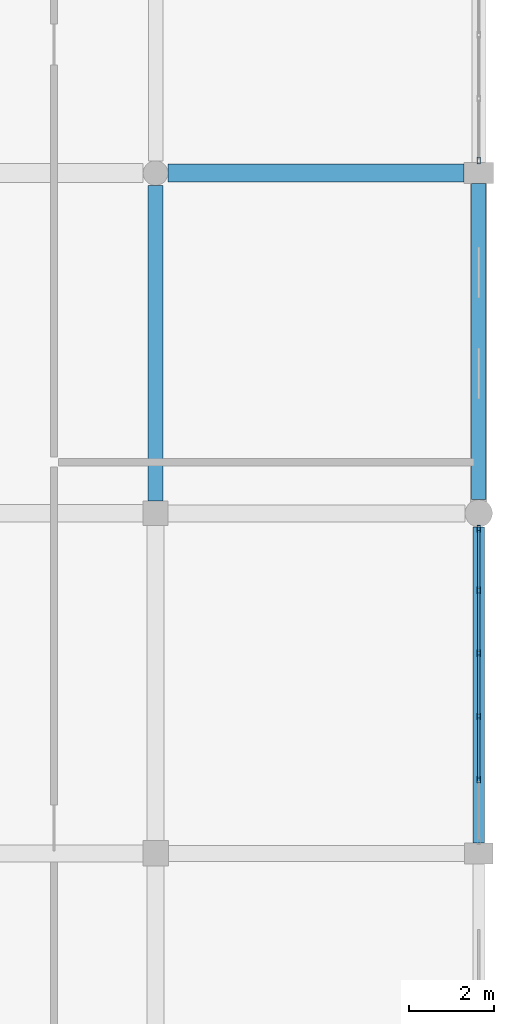
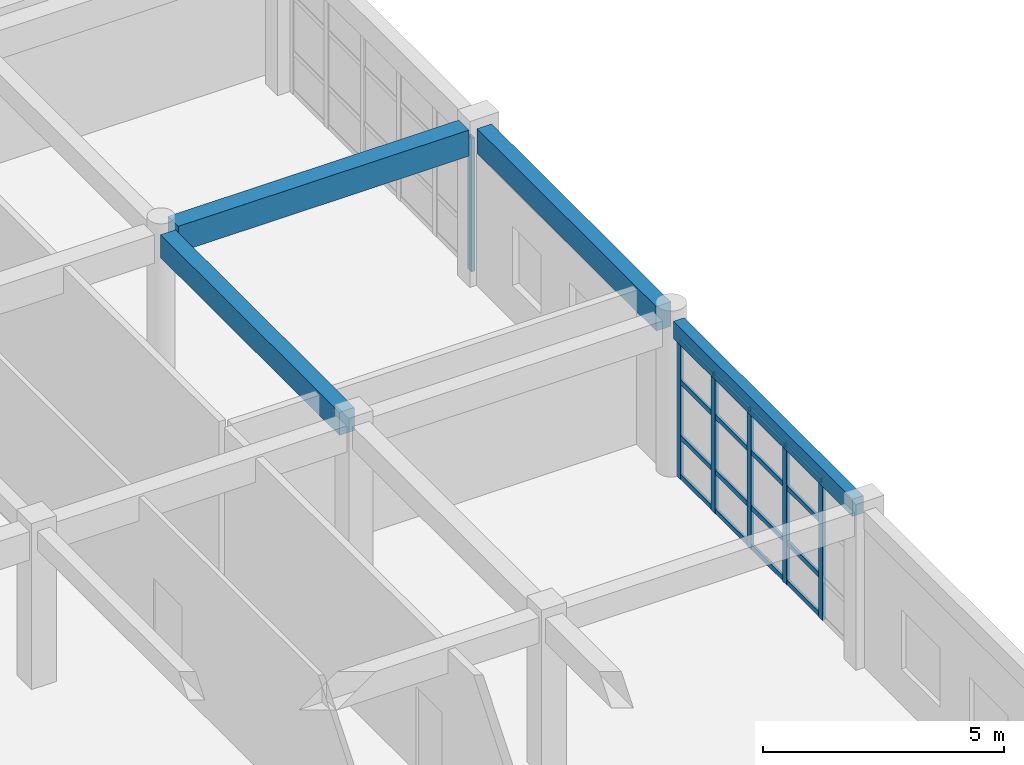
# One storey, part 74 of 121: 22 members, 4 beams, 2 elements without a shape of their own.
"""IFC4 building model written with IfcOpenShell, lengths in metres."""

from ifc_helpers import new_model, si_unit, direction, frame, origin, origin_2d, place, context, subcontext, project, spatial, rectangle, hollow_rectangle, extrude, material, material_profile, profile_set, type_object, element, aggregate, save


model = new_model("IFC4")

# Units and contexts
model_context = context("Model", 3, precision=1e-05, world=origin(), true_north=direction((0.0, 1.0)))
body_context = subcontext(model_context, "Body", "Model", "MODEL_VIEW")
ifc_project = project(units=[si_unit("LENGTHUNIT", "METRE"), si_unit("AREAUNIT", "SQUARE_METRE"), si_unit("VOLUMEUNIT", "CUBIC_METRE"), si_unit("PLANEANGLEUNIT", "RADIAN"), si_unit("MASSUNIT", "GRAM", prefix="KILO")], contexts=[model_context])

# Site, building, storey
site_placement = place(None, origin())
site = spatial("IfcSite", under=ifc_project, at=site_placement, CompositionType="ELEMENT")
building_placement = place(site_placement, origin())
building = spatial("IfcBuilding", under=site, at=building_placement, Name="Kharva Crest Polytechnic", CompositionType="ELEMENT")
storey_placement = place(building_placement, frame((0.0, 0.0, 13.199951171875)))
storey = spatial("IfcBuildingStorey", under=building, at=storey_placement, Name="L03", CompositionType="ELEMENT", Elevation=13.199951171875)

# Beams
ifc_material_1 = material(Name="Concrete C35/45", Category="concrete")
ifc_material_profile_1 = material_profile(ifc_material_1, rectangle(XDim=0.360107421875, YDim=0.580078125, at=origin_2d()), Name="RECT 360 X 580")
ifc_profile_set_1 = profile_set([ifc_material_profile_1], Name="Concrete C35/45")
beam_type_1 = type_object("IfcBeamType", Name="BM-RC-360X580", PredefinedType="BEAM", material=ifc_profile_set_1)
beam_1_placement = place(storey_placement, frame((176.39990234375, 55.090087890625, 3.670166015625), z_axis=(0.0, 1.0, 0.0), x_axis=(-1.0, 0.0, 0.0)))
element("IfcBeam", 1, at=beam_1_placement, inside=storey, type_object=beam_type_1, Name="L03 Girder 23/H-J", PredefinedType="BEAM", context=body_context, shape_type="SweptSolid", body=[
    extrude(rectangle(XDim=0.360107421875, YDim=0.580078125, at=origin_2d()), origin(), (0.0, 0.0, 1.0), 7.419921875),
])
ifc_material_profile_2 = material_profile(ifc_material_1, rectangle(XDim=0.419921875, YDim=0.659912109375, at=origin_2d()), Name="RECT 420 X 660")
ifc_profile_set_2 = profile_set([ifc_material_profile_2], Name="Concrete C35/45")
beam_type_2 = type_object("IfcBeamType", Name="BM-RC-420X660", PredefinedType="BEAM", material=ifc_profile_set_2)
beam_2_placement = place(storey_placement, frame((176.68994140625, 62.800048828125, 3.630126953125), z_axis=(1.0, 0.0, 0.0), x_axis=(0.0, 1.0, 0.0)))
element("IfcBeam", 2, at=beam_2_placement, inside=storey, type_object=beam_type_2, Name="L03 Beam J/23-24", PredefinedType="BEAM", context=body_context, shape_type="SweptSolid", body=[
    extrude(rectangle(XDim=0.419921875, YDim=0.659912109375, at=origin_2d()), origin(), (0.0, 0.0, 1.0), 6.9599609375),
])

# Curtain wall, members
ifc_material_2 = material(Name="Tempered insulated glass", Category="glass")
curtain_wall_type = type_object("IfcCurtainWallType", Name="CW-SYS-COURT", PredefinedType="USERDEFINED", material=ifc_material_2)
curtain_wall_1_placement = place(storey_placement, origin())
curtain_wall_1 = element("IfcCurtainWall", 3, at=curtain_wall_1_placement, inside=storey, type_object=curtain_wall_type, Name="L03 Glazed Curtain Wall CW-149", ObjectType="CURTAIN WALL", PredefinedType="USERDEFINED")
ifc_material_3 = material(Name="Steel S355", Category="steel")
ifc_material_profile_3 = material_profile(ifc_material_3, hollow_rectangle(XDim=0.080078125, YDim=0.159912109375, WallThickness=0.0048828125, at=origin_2d()), Name="RHS 160X80X5.0")
ifc_profile_set_3 = profile_set([ifc_material_profile_3], Name="Steel S355")
member_type_1 = type_object("IfcMemberType", Name="CWM-RHS160X80", PredefinedType="MULLION", material=ifc_profile_set_3)
member_1_placement = place(storey_placement, frame((184.0, 48.5390625, 0.0), z_axis=(0.0, 0.0, 1.0), x_axis=(-1.0, 0.0, 0.0)))
member_1 = element("IfcMember", 4, at=member_1_placement, type_object=member_type_1, Name="CW-149 mullion 2", PredefinedType="MULLION", context=body_context, shape_type="SweptSolid", body=[
    extrude(hollow_rectangle(XDim=0.080078125, YDim=0.159912109375, WallThickness=0.0048828125, at=origin_2d()), origin(), (0.0, 0.0, 1.0), 3.52001953125),
])
member_2_placement = place(storey_placement, frame((184.0, 50.02294921875, 0.0), z_axis=(0.0, 0.0, 1.0), x_axis=(-1.0, 0.0, 0.0)))
member_2 = element("IfcMember", 5, at=member_2_placement, type_object=member_type_1, Name="CW-149 mullion 3", PredefinedType="MULLION", context=body_context, shape_type="SweptSolid", body=[
    extrude(hollow_rectangle(XDim=0.080078125, YDim=0.159912109375, WallThickness=0.0048828125, at=origin_2d()), origin(), (0.0, 0.0, 1.0), 3.52001953125),
])
member_3_placement = place(storey_placement, frame((184.0, 51.507080078125, 0.0), z_axis=(0.0, 0.0, 1.0), x_axis=(-1.0, 0.0, 0.0)))
member_3 = element("IfcMember", 6, at=member_3_placement, type_object=member_type_1, Name="CW-149 mullion 4", PredefinedType="MULLION", context=body_context, shape_type="SweptSolid", body=[
    extrude(hollow_rectangle(XDim=0.080078125, YDim=0.159912109375, WallThickness=0.0048828125, at=origin_2d()), origin(), (0.0, 0.0, 1.0), 3.52001953125),
])
member_4_placement = place(storey_placement, frame((184.0, 52.990966796875, 0.0), z_axis=(0.0, 0.0, 1.0), x_axis=(-1.0, 0.0, 0.0)))
member_4 = element("IfcMember", 7, at=member_4_placement, type_object=member_type_1, Name="CW-149 mullion 5", PredefinedType="MULLION", context=body_context, shape_type="SweptSolid", body=[
    extrude(hollow_rectangle(XDim=0.080078125, YDim=0.159912109375, WallThickness=0.0048828125, at=origin_2d()), origin(), (0.0, 0.0, 1.0), 3.52001953125),
])
member_5_placement = place(storey_placement, frame((184.0, 54.43505859375, 0.0), z_axis=(0.0, 0.0, 1.0), x_axis=(-1.0, 0.0, 0.0)))
member_5 = element("IfcMember", 8, at=member_5_placement, type_object=member_type_1, Name="CW-149 mullion 6", PredefinedType="MULLION", context=body_context, shape_type="SweptSolid", body=[
    extrude(hollow_rectangle(XDim=0.080078125, YDim=0.159912109375, WallThickness=0.0048828125, at=origin_2d()), origin(), (0.0, 0.0, 1.0), 3.52001953125),
])

# Curtain wall, member
curtain_wall_2_placement = place(storey_placement, origin())
curtain_wall_2 = element("IfcCurtainWall", 9, at=curtain_wall_2_placement, inside=storey, type_object=curtain_wall_type, Name="L03 Glazed Curtain Wall CW-150", ObjectType="CURTAIN WALL", PredefinedType="USERDEFINED")
member_6_placement = place(storey_placement, frame((184.0, 63.094970703125, 0.0), z_axis=(0.0, 0.0, 1.0), x_axis=(-1.0, 0.0, 0.0)))
member_6 = element("IfcMember", 10, at=member_6_placement, type_object=member_type_1, Name="CW-150 mullion 1", PredefinedType="MULLION", context=body_context, shape_type="SweptSolid", body=[
    extrude(hollow_rectangle(XDim=0.080078125, YDim=0.159912109375, WallThickness=0.0048828125, at=origin_2d()), origin(), (0.0, 0.0, 1.0), 3.380126953125),
])
aggregate(curtain_wall_2, [member_6])

# Member
ifc_material_profile_4 = material_profile(ifc_material_3, hollow_rectangle(XDim=0.06005859375, YDim=0.1201171875, WallThickness=0.00390625, at=origin_2d()), Name="RHS 120X60X4.0")
ifc_profile_set_4 = profile_set([ifc_material_profile_4], Name="Steel S355")
member_type_2 = type_object("IfcMemberType", Name="CWT-RHS120X60", PredefinedType="USERDEFINED", material=ifc_profile_set_4)
member_7_placement = place(storey_placement, frame((184.0, 48.5791015625, 0.06005859375), z_axis=(0.0, 1.0, 0.0), x_axis=(-1.0, 0.0, 0.0)))
member_7 = element("IfcMember", 11, at=member_7_placement, type_object=member_type_2, Name="CW-149 transom 2.1", ObjectType="TRANSOM", PredefinedType="USERDEFINED", context=body_context, shape_type="SweptSolid", body=[
    extrude(hollow_rectangle(XDim=0.06005859375, YDim=0.1201171875, WallThickness=0.00390625, at=origin_2d()), origin(), (0.0, 0.0, 1.0), 1.40380859375),
])

member_8_placement = place(storey_placement, frame((184.0, 48.5791015625, 1.050048828125), z_axis=(0.0, 1.0, 0.0), x_axis=(-1.0, 0.0, 0.0)))
member_8 = element("IfcMember", 12, at=member_8_placement, type_object=member_type_2, Name="CW-149 transom 2.2", ObjectType="TRANSOM", PredefinedType="USERDEFINED", context=body_context, shape_type="SweptSolid", body=[
    extrude(hollow_rectangle(XDim=0.06005859375, YDim=0.1201171875, WallThickness=0.00390625, at=origin_2d()), origin(), (0.0, 0.0, 1.0), 1.40380859375),
])

member_9_placement = place(storey_placement, frame((184.0, 48.5791015625, 2.449951171875), z_axis=(0.0, 1.0, 0.0), x_axis=(-1.0, 0.0, 0.0)))
member_9 = element("IfcMember", 13, at=member_9_placement, type_object=member_type_2, Name="CW-149 transom 2.3", ObjectType="TRANSOM", PredefinedType="USERDEFINED", context=body_context, shape_type="SweptSolid", body=[
    extrude(hollow_rectangle(XDim=0.06005859375, YDim=0.1201171875, WallThickness=0.00390625, at=origin_2d()), origin(), (0.0, 0.0, 1.0), 1.40380859375),
])

member_10_placement = place(storey_placement, frame((184.0, 48.5791015625, 3.4599609375), z_axis=(0.0, 1.0, 0.0), x_axis=(-1.0, 0.0, 0.0)))
member_10 = element("IfcMember", 14, at=member_10_placement, type_object=member_type_2, Name="CW-149 transom 2.4", ObjectType="TRANSOM", PredefinedType="USERDEFINED", context=body_context, shape_type="SweptSolid", body=[
    extrude(hollow_rectangle(XDim=0.06005859375, YDim=0.1201171875, WallThickness=0.00390625, at=origin_2d()), origin(), (0.0, 0.0, 1.0), 1.40380859375),
])

member_11_placement = place(storey_placement, frame((184.0, 50.06298828125, 0.06005859375), z_axis=(0.0, 1.0, 0.0), x_axis=(-1.0, 0.0, 0.0)))
member_11 = element("IfcMember", 15, at=member_11_placement, type_object=member_type_2, Name="CW-149 transom 3.1", ObjectType="TRANSOM", PredefinedType="USERDEFINED", context=body_context, shape_type="SweptSolid", body=[
    extrude(hollow_rectangle(XDim=0.06005859375, YDim=0.1201171875, WallThickness=0.00390625, at=origin_2d()), origin(), (0.0, 0.0, 1.0), 1.404052734375),
])

member_12_placement = place(storey_placement, frame((184.0, 50.06298828125, 1.050048828125), z_axis=(0.0, 1.0, 0.0), x_axis=(-1.0, 0.0, 0.0)))
member_12 = element("IfcMember", 16, at=member_12_placement, type_object=member_type_2, Name="CW-149 transom 3.2", ObjectType="TRANSOM", PredefinedType="USERDEFINED", context=body_context, shape_type="SweptSolid", body=[
    extrude(hollow_rectangle(XDim=0.06005859375, YDim=0.1201171875, WallThickness=0.00390625, at=origin_2d()), origin(), (0.0, 0.0, 1.0), 1.404052734375),
])

member_13_placement = place(storey_placement, frame((184.0, 50.06298828125, 2.449951171875), z_axis=(0.0, 1.0, 0.0), x_axis=(-1.0, 0.0, 0.0)))
member_13 = element("IfcMember", 17, at=member_13_placement, type_object=member_type_2, Name="CW-149 transom 3.3", ObjectType="TRANSOM", PredefinedType="USERDEFINED", context=body_context, shape_type="SweptSolid", body=[
    extrude(hollow_rectangle(XDim=0.06005859375, YDim=0.1201171875, WallThickness=0.00390625, at=origin_2d()), origin(), (0.0, 0.0, 1.0), 1.404052734375),
])

member_14_placement = place(storey_placement, frame((184.0, 50.06298828125, 3.4599609375), z_axis=(0.0, 1.0, 0.0), x_axis=(-1.0, 0.0, 0.0)))
member_14 = element("IfcMember", 18, at=member_14_placement, type_object=member_type_2, Name="CW-149 transom 3.4", ObjectType="TRANSOM", PredefinedType="USERDEFINED", context=body_context, shape_type="SweptSolid", body=[
    extrude(hollow_rectangle(XDim=0.06005859375, YDim=0.1201171875, WallThickness=0.00390625, at=origin_2d()), origin(), (0.0, 0.0, 1.0), 1.404052734375),
])

member_15_placement = place(storey_placement, frame((184.0, 51.547119140625, 0.06005859375), z_axis=(0.0, 1.0, 0.0), x_axis=(-1.0, 0.0, 0.0)))
member_15 = element("IfcMember", 19, at=member_15_placement, type_object=member_type_2, Name="CW-149 transom 4.1", ObjectType="TRANSOM", PredefinedType="USERDEFINED", context=body_context, shape_type="SweptSolid", body=[
    extrude(hollow_rectangle(XDim=0.06005859375, YDim=0.1201171875, WallThickness=0.00390625, at=origin_2d()), origin(), (0.0, 0.0, 1.0), 1.40380859375),
])

member_16_placement = place(storey_placement, frame((184.0, 51.547119140625, 1.050048828125), z_axis=(0.0, 1.0, 0.0), x_axis=(-1.0, 0.0, 0.0)))
member_16 = element("IfcMember", 20, at=member_16_placement, type_object=member_type_2, Name="CW-149 transom 4.2", ObjectType="TRANSOM", PredefinedType="USERDEFINED", context=body_context, shape_type="SweptSolid", body=[
    extrude(hollow_rectangle(XDim=0.06005859375, YDim=0.1201171875, WallThickness=0.00390625, at=origin_2d()), origin(), (0.0, 0.0, 1.0), 1.40380859375),
])

member_17_placement = place(storey_placement, frame((184.0, 51.547119140625, 2.449951171875), z_axis=(0.0, 1.0, 0.0), x_axis=(-1.0, 0.0, 0.0)))
member_17 = element("IfcMember", 21, at=member_17_placement, type_object=member_type_2, Name="CW-149 transom 4.3", ObjectType="TRANSOM", PredefinedType="USERDEFINED", context=body_context, shape_type="SweptSolid", body=[
    extrude(hollow_rectangle(XDim=0.06005859375, YDim=0.1201171875, WallThickness=0.00390625, at=origin_2d()), origin(), (0.0, 0.0, 1.0), 1.40380859375),
])

member_18_placement = place(storey_placement, frame((184.0, 51.547119140625, 3.4599609375), z_axis=(0.0, 1.0, 0.0), x_axis=(-1.0, 0.0, 0.0)))
member_18 = element("IfcMember", 22, at=member_18_placement, type_object=member_type_2, Name="CW-149 transom 4.4", ObjectType="TRANSOM", PredefinedType="USERDEFINED", context=body_context, shape_type="SweptSolid", body=[
    extrude(hollow_rectangle(XDim=0.06005859375, YDim=0.1201171875, WallThickness=0.00390625, at=origin_2d()), origin(), (0.0, 0.0, 1.0), 1.40380859375),
])

member_19_placement = place(storey_placement, frame((184.0, 53.031005859375, 0.06005859375), z_axis=(0.0, 1.0, 0.0), x_axis=(-1.0, 0.0, 0.0)))
member_19 = element("IfcMember", 23, at=member_19_placement, type_object=member_type_2, Name="CW-149 transom 5.1", ObjectType="TRANSOM", PredefinedType="USERDEFINED", context=body_context, shape_type="SweptSolid", body=[
    extrude(hollow_rectangle(XDim=0.06005859375, YDim=0.1201171875, WallThickness=0.00390625, at=origin_2d()), origin(), (0.0, 0.0, 1.0), 1.364013671875),
])

member_20_placement = place(storey_placement, frame((184.0, 53.031005859375, 1.050048828125), z_axis=(0.0, 1.0, 0.0), x_axis=(-1.0, 0.0, 0.0)))
member_20 = element("IfcMember", 24, at=member_20_placement, type_object=member_type_2, Name="CW-149 transom 5.2", ObjectType="TRANSOM", PredefinedType="USERDEFINED", context=body_context, shape_type="SweptSolid", body=[
    extrude(hollow_rectangle(XDim=0.06005859375, YDim=0.1201171875, WallThickness=0.00390625, at=origin_2d()), origin(), (0.0, 0.0, 1.0), 1.364013671875),
])

member_21_placement = place(storey_placement, frame((184.0, 53.031005859375, 2.449951171875), z_axis=(0.0, 1.0, 0.0), x_axis=(-1.0, 0.0, 0.0)))
member_21 = element("IfcMember", 25, at=member_21_placement, type_object=member_type_2, Name="CW-149 transom 5.3", ObjectType="TRANSOM", PredefinedType="USERDEFINED", context=body_context, shape_type="SweptSolid", body=[
    extrude(hollow_rectangle(XDim=0.06005859375, YDim=0.1201171875, WallThickness=0.00390625, at=origin_2d()), origin(), (0.0, 0.0, 1.0), 1.364013671875),
])

member_22_placement = place(storey_placement, frame((184.0, 53.031005859375, 3.4599609375), z_axis=(0.0, 1.0, 0.0), x_axis=(-1.0, 0.0, 0.0)))
member_22 = element("IfcMember", 26, at=member_22_placement, type_object=member_type_2, Name="CW-149 transom 5.4", ObjectType="TRANSOM", PredefinedType="USERDEFINED", context=body_context, shape_type="SweptSolid", body=[
    extrude(hollow_rectangle(XDim=0.06005859375, YDim=0.1201171875, WallThickness=0.00390625, at=origin_2d()), origin(), (0.0, 0.0, 1.0), 1.364013671875),
])

aggregate(curtain_wall_1, [member_1, member_2, member_3, member_4, member_5, member_7, member_8, member_9, member_10, member_11, member_12, member_13, member_14, member_15, member_16, member_17, member_18, member_19, member_20, member_21, member_22])

# Beams
ifc_material_profile_5 = material_profile(ifc_material_1, rectangle(XDim=0.260009765625, YDim=0.43994140625, at=origin_2d()), Name="RECT 260 X 440")
ifc_profile_set_5 = profile_set([ifc_material_profile_5], Name="Concrete C35/45")
beam_type_3 = type_object("IfcBeamType", Name="SP-RC-260X440", PredefinedType="SPANDREL", material=ifc_profile_set_5)
beam_3_placement = place(storey_placement, frame((184.0, 47.050048828125, 3.739990234375), z_axis=(0.0, 1.0, 0.0), x_axis=(-1.0, 0.0, 0.0)))
element("IfcBeam", 27, at=beam_3_placement, inside=storey, type_object=beam_type_3, Name="L03 Girder 24/G-H", PredefinedType="SPANDREL", context=body_context, shape_type="SweptSolid", body=[
    extrude(rectangle(XDim=0.260009765625, YDim=0.43994140625, at=origin_2d()), origin(), (0.0, 0.0, 1.0), 7.429931640625),
])
ifc_material_profile_6 = material_profile(ifc_material_1, rectangle(XDim=0.35009765625, YDim=0.6201171875, at=origin_2d()), Name="RECT 350 X 620")
ifc_profile_set_6 = profile_set([ifc_material_profile_6], Name="Concrete C35/45")
beam_type_4 = type_object("IfcBeamType", Name="SP-RC-350X620", PredefinedType="SPANDREL", material=ifc_profile_set_6)
beam_4_placement = place(storey_placement, frame((184.0, 55.1201171875, 3.650146484375), z_axis=(0.0, 1.0, 0.0), x_axis=(-1.0, 0.0, 0.0)))
element("IfcBeam", 28, at=beam_4_placement, inside=storey, type_object=beam_type_4, Name="L03 Girder 24/H-J", PredefinedType="SPANDREL", context=body_context, shape_type="SweptSolid", body=[
    extrude(rectangle(XDim=0.35009765625, YDim=0.6201171875, at=origin_2d()), origin(), (0.0, 0.0, 1.0), 7.429931640625),
])

save(model, "model.ifc")
